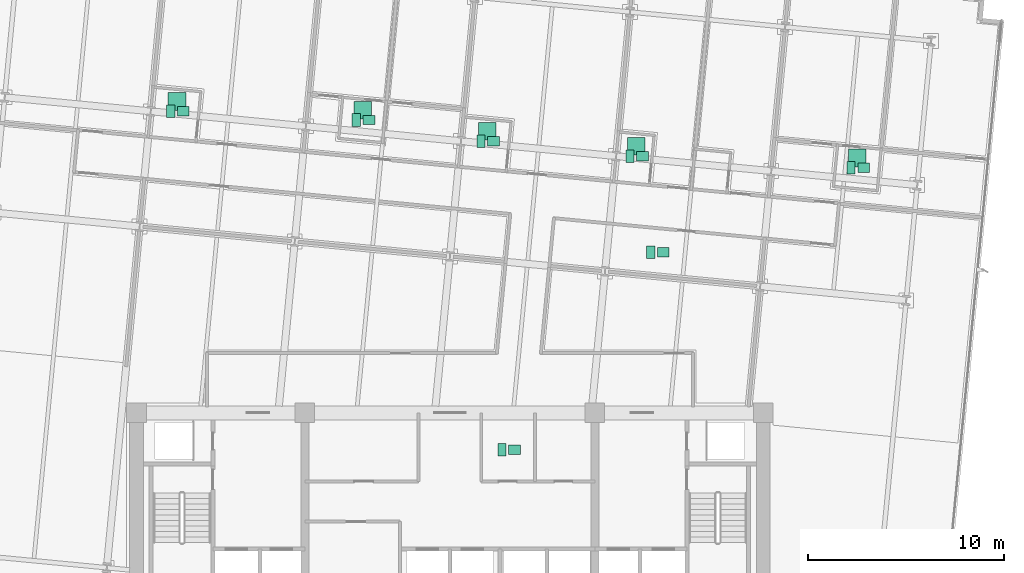
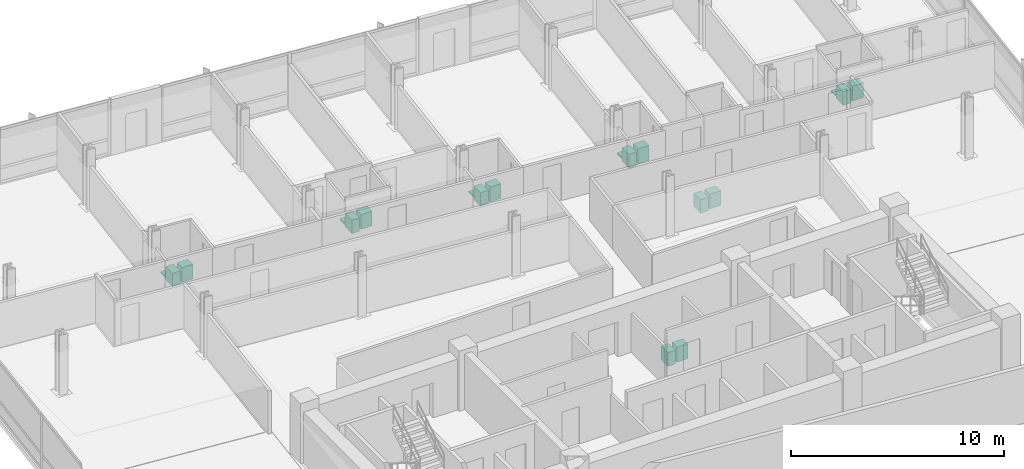
# One storey, part 17 of 17: 19 sanitary terminals.
"""IFC4 building model written with IfcOpenShell, lengths in metres."""

from ifc_helpers import new_model, si_unit, direction, frame, origin, origin_2d, place, context, subcontext, project, spatial, rectangle, extrude, material, type_object, element, save


model = new_model("IFC4")

# Units and contexts
model_context = context("Model", 3, precision=1e-05, world=origin(), true_north=direction((0.0, 1.0)))
body_context = subcontext(model_context, "Body", "Model", "MODEL_VIEW")
ifc_project = project(units=[si_unit("LENGTHUNIT", "METRE"), si_unit("AREAUNIT", "SQUARE_METRE"), si_unit("VOLUMEUNIT", "CUBIC_METRE"), si_unit("PLANEANGLEUNIT", "RADIAN"), si_unit("MASSUNIT", "GRAM", prefix="KILO")], contexts=[model_context])

# Site, building, storey
site_placement = place(None, origin())
site = spatial("IfcSite", under=ifc_project, at=site_placement, CompositionType="ELEMENT")
building_placement = place(site_placement, origin())
building = spatial("IfcBuilding", under=site, at=building_placement, Name="Solmavex Isthmus Hotel", CompositionType="ELEMENT")
storey_placement = place(building_placement, frame((0.0, 0.0, 146.25)))
storey = spatial("IfcBuildingStorey", under=building, at=storey_placement, Name="L39", CompositionType="ELEMENT", Elevation=146.25)

# Sanitary terminals
ifc_material = material(Name="Vitreous china ceramic", Category="ceramic")
sanitary_terminal_type_1 = type_object("IfcSanitaryTerminalType", Name="SAN-BASIN", PredefinedType="WASHHANDBASIN", material=ifc_material)
for number, where, z_axis, x_axis, name in (
    (1, (3.294921875, -4.385009765625, 0.0), (0.0, 0.0, 1.0), (1.0, 0.0, 0.0), "Vanity Washbasin L39-187"),
    (2, (-13.608154296875, 12.896240234375, 0.0), (0.0, 0.0, 1.0), (1.0, 0.0, 0.0), "Vanity Washbasin L39-188"),
    (3, (-4.135009765625, 12.45361328125, 0.0), (0.0, 0.0, 1.0), (1.0, 0.0, 0.0), "Vanity Washbasin L39-189"),
    (4, (2.23046875, 11.37109375, 0.0), (0.0, 0.0, 1.0), (1.0, 0.0, 0.0), "Vanity Washbasin L39-190"),
    (5, (9.83837890625, 10.608642578125, 0.0), (0.0, 0.0, 1.0), (1.0, 0.0, 0.0), "Vanity Washbasin L39-191"),
    (6, (21.121337890625, 10.011474609375, 0.0), (0.0, 0.0, 1.0), (1.0, 0.0, 0.0), "Vanity Washbasin L39-192"),
    (7, (10.895263671875, 5.702880859375, 0.0), (0.0, 0.0, 1.0), (1.0, 0.0, 0.0), "Vanity Washbasin L39-193"),
):
    element("IfcSanitaryTerminal", number, at=place(storey_placement, frame(where, z_axis=z_axis, x_axis=x_axis)), inside=storey, type_object=sanitary_terminal_type_1, Name=name, PredefinedType="WASHHANDBASIN", context=body_context, shape_type="SweptSolid", body=[
        extrude(rectangle(XDim=0.60009765625, YDim=0.47998046875, at=origin_2d()), origin(), (0.0, 0.0, 1.0), 0.85009765625),
    ])
sanitary_terminal_type_2 = type_object("IfcSanitaryTerminalType", Name="SAN-SHOWER", PredefinedType="SHOWER", material=ifc_material)
for number, where, z_axis, x_axis, name in (
    (8, (-13.92822265625, 13.396240234375, 0.0), (0.0, 0.0, 1.0), (1.0, 0.0, 0.0), "Walk-In Shower L39-188"),
    (9, (-4.454833984375, 12.95361328125, 0.0), (0.0, 0.0, 1.0), (1.0, 0.0, 0.0), "Walk-In Shower L39-189"),
    (10, (1.910400390625, 11.87109375, 0.0), (0.0, 0.0, 1.0), (1.0, 0.0, 0.0), "Walk-In Shower L39-190"),
    (11, (9.518310546875, 11.108642578125, 0.0), (0.0, 0.0, 1.0), (1.0, 0.0, 0.0), "Walk-In Shower L39-191"),
    (12, (20.801513671875, 10.511474609375, 0.0), (0.0, 0.0, 1.0), (1.0, 0.0, 0.0), "Walk-In Shower L39-192"),
):
    element("IfcSanitaryTerminal", number, at=place(storey_placement, frame(where, z_axis=z_axis, x_axis=x_axis)), inside=storey, type_object=sanitary_terminal_type_2, Name=name, PredefinedType="SHOWER", context=body_context, shape_type="SweptSolid", body=[
        extrude(rectangle(XDim=0.89990234375, YDim=0.89990234375, at=origin_2d()), origin(), (0.0, 0.0, 1.0), 0.080078125),
    ])
sanitary_terminal_type_3 = type_object("IfcSanitaryTerminalType", Name="SAN-WC-SUITE", PredefinedType="TOILETPAN", material=ifc_material)
for number, where, z_axis, x_axis, name in (
    (13, (2.655029296875, -4.385009765625, 0.0), (0.0, 0.0, 1.0), (1.0, 0.0, 0.0), "Water Closet L39-187"),
    (14, (-14.248291015625, 12.896240234375, 0.0), (0.0, 0.0, 1.0), (1.0, 0.0, 0.0), "Water Closet L39-188"),
    (15, (-4.77490234375, 12.45361328125, 0.0), (0.0, 0.0, 1.0), (1.0, 0.0, 0.0), "Water Closet L39-189"),
    (16, (1.590576171875, 11.37109375, 0.0), (0.0, 0.0, 1.0), (1.0, 0.0, 0.0), "Water Closet L39-190"),
    (17, (9.198486328125, 10.608642578125, 0.0), (0.0, 0.0, 1.0), (1.0, 0.0, 0.0), "Water Closet L39-191"),
    (18, (20.4814453125, 10.011474609375, 0.0), (0.0, 0.0, 1.0), (1.0, 0.0, 0.0), "Water Closet L39-192"),
    (19, (10.25537109375, 5.702880859375, 0.0), (0.0, 0.0, 1.0), (1.0, 0.0, 0.0), "Water Closet L39-193"),
):
    element("IfcSanitaryTerminal", number, at=place(storey_placement, frame(where, z_axis=z_axis, x_axis=x_axis)), inside=storey, type_object=sanitary_terminal_type_3, Name=name, PredefinedType="TOILETPAN", context=body_context, shape_type="SweptSolid", body=[
        extrude(rectangle(XDim=0.419921875, YDim=0.64990234375, at=origin_2d()), origin(), (0.0, 0.0, 1.0), 0.780029296875),
    ])

save(model, "model.ifc")
